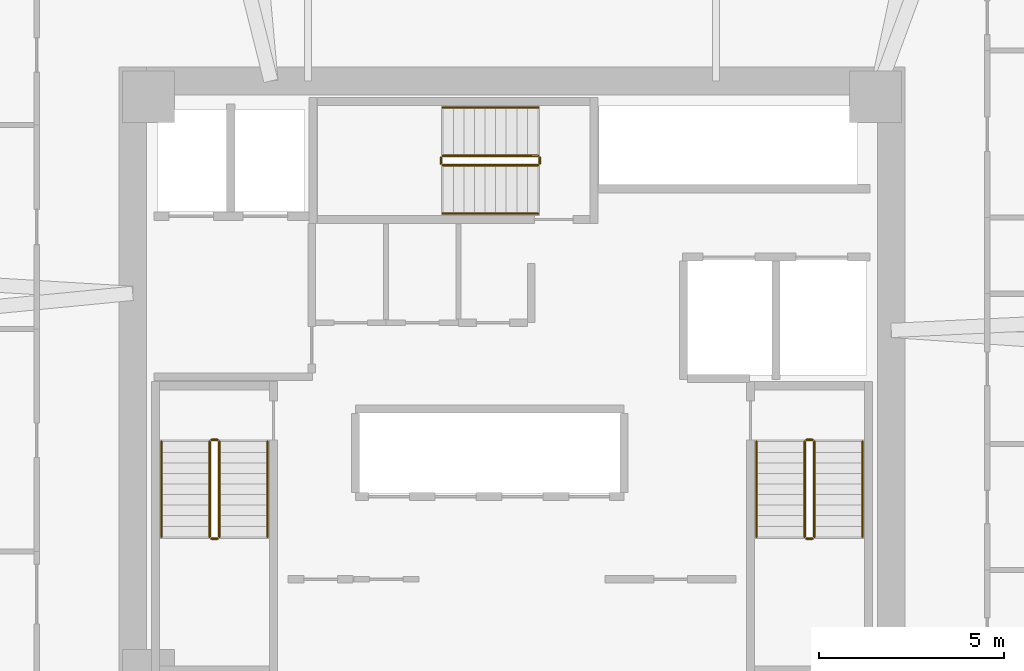
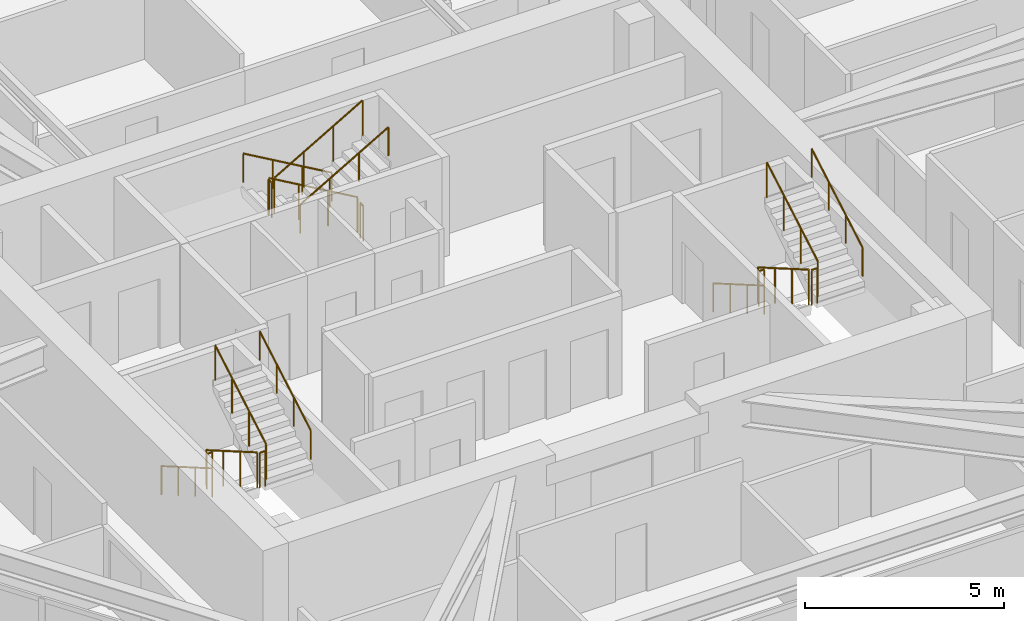
# One storey, part 14 of 14: 18 railings.
"""IFC4 building model written with IfcOpenShell, lengths in metres."""

from ifc_helpers import new_model, si_unit, direction, frame, origin, origin_2d, place, context, subcontext, project, spatial, circle, extrude, material, type_object, element, save


model = new_model("IFC4")

# Units and contexts
model_context = context("Model", 3, precision=1e-05, world=origin(), true_north=direction((0.0, 1.0)))
body_context = subcontext(model_context, "Body", "Model", "MODEL_VIEW")
ifc_project = project(units=[si_unit("LENGTHUNIT", "METRE"), si_unit("AREAUNIT", "SQUARE_METRE"), si_unit("VOLUMEUNIT", "CUBIC_METRE"), si_unit("PLANEANGLEUNIT", "RADIAN"), si_unit("MASSUNIT", "GRAM", prefix="KILO")], contexts=[model_context])

# Site, building, storey
site_placement = place(None, origin())
site = spatial("IfcSite", under=ifc_project, at=site_placement, CompositionType="ELEMENT")
building_placement = place(site_placement, origin())
building = spatial("IfcBuilding", under=site, at=building_placement, Name="Durnholm Broadcast Tower", CompositionType="ELEMENT")
storey_placement = place(building_placement, frame((0.0, 0.0, 120.60009765625)))
storey = spatial("IfcBuildingStorey", under=building, at=storey_placement, Name="L32", CompositionType="ELEMENT", Elevation=120.60009765625)

# Railings
ifc_material_1 = material(Name="Painted Tubular Steel Stair Guardrail", Category="steel")
railing_type_1 = type_object("IfcRailingType", Name="RAIL-ST-GRD", PredefinedType="GUARDRAIL", material=ifc_material_1)
railing_1_placement = place(storey_placement, frame((-8.14990234375, -1.5, 0.164794921875)))
element("IfcRailing", 1, at=railing_1_placement, inside=storey, type_object=railing_type_1, Name="L32 ST-1 stair guard 1", PredefinedType="GUARDRAIL", context=body_context, shape_type="SweptSolid", body=[
    extrude(circle(Radius=0.02392578125, at=origin_2d()), frame((0.0, 0.0, 1.076171875), z_axis=(0.0, -0.865405606168, 0.501071987656), x_axis=(1.0, 0.0, 0.0)), (0.0, 0.0, 1.0), 2.9638671875),
    extrude(circle(Radius=0.02099609375, at=origin_2d()), origin(), (0.0, 0.0, 1.0), 1.052001953125),
    extrude(circle(Radius=0.02099609375, at=origin_2d()), frame((0.0, -0.85498046875, 0.4951171875)), (0.0, 0.0, 1.0), 1.052001953125),
    extrude(circle(Radius=0.02099609375, at=origin_2d()), frame((0.0, -1.7099609375, 0.989990234375)), (0.0, 0.0, 1.0), 1.052001953125),
    extrude(circle(Radius=0.02099609375, at=origin_2d()), frame((0.0, -2.56494140625, 1.485107421875)), (0.0, 0.0, 1.0), 1.052001953125),
])
railing_2_placement = place(storey_placement, frame((-8.10009765625, -4.114990234375, 1.64990234375)))
element("IfcRailing", 2, at=railing_2_placement, inside=storey, type_object=railing_type_1, Name="L32 ST-1 stair guard 2", PredefinedType="GUARDRAIL", context=body_context, shape_type="SweptSolid", body=[
    extrude(circle(Radius=0.02392578125, at=origin_2d()), frame((0.0, 0.0, 1.076171875), z_axis=(1.0, 0.0, 0.0), x_axis=(0.0, 1.0, 0.0)), (0.0, 0.0, 1.0), 0.16015625),
    extrude(circle(Radius=0.02099609375, at=origin_2d()), origin(), (0.0, 0.0, 1.0), 1.052001953125),
    extrude(circle(Radius=0.02099609375, at=origin_2d()), frame((0.16015625, 0.0, 0.0)), (0.0, 0.0, 1.0), 1.052001953125),
])
railing_3_placement = place(storey_placement, frame((-7.889892578125, -4.06494140625, 1.81494140625)))
element("IfcRailing", 3, at=railing_3_placement, inside=storey, type_object=railing_type_1, Name="L32 ST-1 stair guard 3", PredefinedType="GUARDRAIL", context=body_context, shape_type="SweptSolid", body=[
    extrude(circle(Radius=0.02392578125, at=origin_2d()), frame((0.0, 0.0, 1.076171875), z_axis=(0.0, 0.865441324677, 0.50101029285), x_axis=(-1.0, 0.0, 0.0)), (0.0, 0.0, 1.0), 2.963623046875),
    extrude(circle(Radius=0.02099609375, at=origin_2d()), origin(), (0.0, 0.0, 1.0), 1.052001953125),
    extrude(circle(Radius=0.02099609375, at=origin_2d()), frame((0.0, 0.85498046875, 0.494873046875)), (0.0, 0.0, 1.0), 1.052001953125),
    extrude(circle(Radius=0.02099609375, at=origin_2d()), frame((0.0, 1.7099609375, 0.989990234375)), (0.0, 0.0, 1.0), 1.052001953125),
    extrude(circle(Radius=0.02099609375, at=origin_2d()), frame((0.0, 2.56494140625, 1.48486328125)), (0.0, 0.0, 1.0), 1.052001953125),
])
railing_4_placement = place(storey_placement, frame((-8.10009765625, -1.449951171875, 0.0)))
element("IfcRailing", 4, at=railing_4_placement, inside=storey, type_object=railing_type_1, Name="L32 ST-1 stair guard 4", PredefinedType="GUARDRAIL", context=body_context, shape_type="SweptSolid", body=[
    extrude(circle(Radius=0.02392578125, at=origin_2d()), frame((0.0, 0.0, 1.076171875), z_axis=(1.0, 0.0, 0.0), x_axis=(0.0, 1.0, 0.0)), (0.0, 0.0, 1.0), 0.16015625),
    extrude(circle(Radius=0.02099609375, at=origin_2d()), origin(), (0.0, 0.0, 1.0), 1.052001953125),
    extrude(circle(Radius=0.02099609375, at=origin_2d()), frame((0.16015625, 0.0, 0.0)), (0.0, 0.0, 1.0), 1.052001953125),
])
railing_5_placement = place(storey_placement, frame((7.889892578125, -1.5, 0.164794921875)))
element("IfcRailing", 5, at=railing_5_placement, inside=storey, type_object=railing_type_1, Name="L32 ST-2 stair guard 1", PredefinedType="GUARDRAIL", context=body_context, shape_type="SweptSolid", body=[
    extrude(circle(Radius=0.02392578125, at=origin_2d()), frame((0.0, 0.0, 1.076171875), z_axis=(0.0, -0.865405606168, 0.501071987656), x_axis=(1.0, 0.0, 0.0)), (0.0, 0.0, 1.0), 2.9638671875),
    extrude(circle(Radius=0.02099609375, at=origin_2d()), origin(), (0.0, 0.0, 1.0), 1.052001953125),
    extrude(circle(Radius=0.02099609375, at=origin_2d()), frame((0.0, -0.85498046875, 0.4951171875)), (0.0, 0.0, 1.0), 1.052001953125),
    extrude(circle(Radius=0.02099609375, at=origin_2d()), frame((0.0, -1.7099609375, 0.989990234375)), (0.0, 0.0, 1.0), 1.052001953125),
    extrude(circle(Radius=0.02099609375, at=origin_2d()), frame((0.0, -2.56494140625, 1.485107421875)), (0.0, 0.0, 1.0), 1.052001953125),
])
railing_6_placement = place(storey_placement, frame((7.93994140625, -4.114990234375, 1.64990234375)))
element("IfcRailing", 6, at=railing_6_placement, inside=storey, type_object=railing_type_1, Name="L32 ST-2 stair guard 2", PredefinedType="GUARDRAIL", context=body_context, shape_type="SweptSolid", body=[
    extrude(circle(Radius=0.02392578125, at=origin_2d()), frame((0.0, 0.0, 1.076171875), z_axis=(1.0, 0.0, 0.0), x_axis=(0.0, 1.0, 0.0)), (0.0, 0.0, 1.0), 0.16015625),
    extrude(circle(Radius=0.02099609375, at=origin_2d()), origin(), (0.0, 0.0, 1.0), 1.052001953125),
    extrude(circle(Radius=0.02099609375, at=origin_2d()), frame((0.16015625, 0.0, 0.0)), (0.0, 0.0, 1.0), 1.052001953125),
])
railing_7_placement = place(storey_placement, frame((8.14990234375, -4.06494140625, 1.81494140625)))
element("IfcRailing", 7, at=railing_7_placement, inside=storey, type_object=railing_type_1, Name="L32 ST-2 stair guard 3", PredefinedType="GUARDRAIL", context=body_context, shape_type="SweptSolid", body=[
    extrude(circle(Radius=0.02392578125, at=origin_2d()), frame((0.0, 0.0, 1.076171875), z_axis=(0.0, 0.865441324677, 0.50101029285), x_axis=(-1.0, 0.0, 0.0)), (0.0, 0.0, 1.0), 2.963623046875),
    extrude(circle(Radius=0.02099609375, at=origin_2d()), origin(), (0.0, 0.0, 1.0), 1.052001953125),
    extrude(circle(Radius=0.02099609375, at=origin_2d()), frame((0.0, 0.85498046875, 0.494873046875)), (0.0, 0.0, 1.0), 1.052001953125),
    extrude(circle(Radius=0.02099609375, at=origin_2d()), frame((0.0, 1.7099609375, 0.989990234375)), (0.0, 0.0, 1.0), 1.052001953125),
    extrude(circle(Radius=0.02099609375, at=origin_2d()), frame((0.0, 2.56494140625, 1.48486328125)), (0.0, 0.0, 1.0), 1.052001953125),
])
railing_8_placement = place(storey_placement, frame((7.93994140625, -1.449951171875, 0.0)))
element("IfcRailing", 8, at=railing_8_placement, inside=storey, type_object=railing_type_1, Name="L32 ST-2 stair guard 4", PredefinedType="GUARDRAIL", context=body_context, shape_type="SweptSolid", body=[
    extrude(circle(Radius=0.02392578125, at=origin_2d()), frame((0.0, 0.0, 1.076171875), z_axis=(1.0, 0.0, 0.0), x_axis=(0.0, 1.0, 0.0)), (0.0, 0.0, 1.0), 0.16015625),
    extrude(circle(Radius=0.02099609375, at=origin_2d()), origin(), (0.0, 0.0, 1.0), 1.052001953125),
    extrude(circle(Radius=0.02099609375, at=origin_2d()), frame((0.16015625, 0.0, 0.0)), (0.0, 0.0, 1.0), 1.052001953125),
])
railing_9_placement = place(storey_placement, frame((0.699951171875, 6.2099609375, 0.164794921875)))
element("IfcRailing", 9, at=railing_9_placement, inside=storey, type_object=railing_type_1, Name="L32 ST-3 stair guard 1", PredefinedType="GUARDRAIL", context=body_context, shape_type="SweptSolid", body=[
    extrude(circle(Radius=0.02392578125, at=origin_2d()), frame((0.0, 0.0, 1.076171875), z_axis=(-0.865405606168, 0.0, 0.501071987656), x_axis=(0.0, -1.0, 0.0)), (0.0, 0.0, 1.0), 2.9638671875),
    extrude(circle(Radius=0.02099609375, at=origin_2d()), origin(), (0.0, 0.0, 1.0), 1.052001953125),
    extrude(circle(Radius=0.02099609375, at=origin_2d()), frame((-0.85498046875, 0.0, 0.4951171875)), (0.0, 0.0, 1.0), 1.052001953125),
    extrude(circle(Radius=0.02099609375, at=origin_2d()), frame((-1.7099609375, 0.0, 0.989990234375)), (0.0, 0.0, 1.0), 1.052001953125),
    extrude(circle(Radius=0.02099609375, at=origin_2d()), frame((-2.56494140625, 0.0, 1.485107421875)), (0.0, 0.0, 1.0), 1.052001953125),
])
railing_10_placement = place(storey_placement, frame((-1.9150390625, 6.159912109375, 1.64990234375)))
element("IfcRailing", 10, at=railing_10_placement, inside=storey, type_object=railing_type_1, Name="L32 ST-3 stair guard 2", PredefinedType="GUARDRAIL", context=body_context, shape_type="SweptSolid", body=[
    extrude(circle(Radius=0.02392578125, at=origin_2d()), frame((0.0, 0.0, 1.076171875), z_axis=(0.0, -1.0, 0.0), x_axis=(1.0, 0.0, 0.0)), (0.0, 0.0, 1.0), 0.159912109375),
    extrude(circle(Radius=0.02099609375, at=origin_2d()), origin(), (0.0, 0.0, 1.0), 1.052001953125),
    extrude(circle(Radius=0.02099609375, at=origin_2d()), frame((0.0, -0.159912109375, 0.0)), (0.0, 0.0, 1.0), 1.052001953125),
])
railing_11_placement = place(storey_placement, frame((-1.864990234375, 5.949951171875, 1.81494140625)))
element("IfcRailing", 11, at=railing_11_placement, inside=storey, type_object=railing_type_1, Name="L32 ST-3 stair guard 3", PredefinedType="GUARDRAIL", context=body_context, shape_type="SweptSolid", body=[
    extrude(circle(Radius=0.02392578125, at=origin_2d()), frame((0.0, 0.0, 1.076171875), z_axis=(0.865441324677, 0.0, 0.50101029285), x_axis=(0.0, 1.0, 0.0)), (0.0, 0.0, 1.0), 2.963623046875),
    extrude(circle(Radius=0.02099609375, at=origin_2d()), origin(), (0.0, 0.0, 1.0), 1.052001953125),
    extrude(circle(Radius=0.02099609375, at=origin_2d()), frame((0.85498046875, 0.0, 0.494873046875)), (0.0, 0.0, 1.0), 1.052001953125),
    extrude(circle(Radius=0.02099609375, at=origin_2d()), frame((1.7099609375, 0.0, 0.989990234375)), (0.0, 0.0, 1.0), 1.052001953125),
    extrude(circle(Radius=0.02099609375, at=origin_2d()), frame((2.56494140625, 0.0, 1.48486328125)), (0.0, 0.0, 1.0), 1.052001953125),
])
railing_12_placement = place(storey_placement, frame((0.75, 6.159912109375, 0.0)))
element("IfcRailing", 12, at=railing_12_placement, inside=storey, type_object=railing_type_1, Name="L32 ST-3 stair guard 4", PredefinedType="GUARDRAIL", context=body_context, shape_type="SweptSolid", body=[
    extrude(circle(Radius=0.02392578125, at=origin_2d()), frame((0.0, 0.0, 1.076171875), z_axis=(0.0, -1.0, 0.0), x_axis=(1.0, 0.0, 0.0)), (0.0, 0.0, 1.0), 0.159912109375),
    extrude(circle(Radius=0.02099609375, at=origin_2d()), origin(), (0.0, 0.0, 1.0), 1.052001953125),
    extrude(circle(Radius=0.02099609375, at=origin_2d()), frame((0.0, -0.159912109375, 0.0)), (0.0, 0.0, 1.0), 1.052001953125),
])
ifc_material_2 = material(Name="Brushed Stainless Steel Handrail", Category="steel")
railing_type_2 = type_object("IfcRailingType", Name="RAIL-ST-HND", PredefinedType="HANDRAIL", material=ifc_material_2)
railing_13_placement = place(storey_placement, frame((-9.449951171875, -1.5, 0.329833984375)))
element("IfcRailing", 13, at=railing_13_placement, inside=storey, type_object=railing_type_2, Name="L32 ST-1 stair handrail 1", PredefinedType="HANDRAIL", context=body_context, shape_type="SweptSolid", body=[
    extrude(circle(Radius=0.02392578125, at=origin_2d()), frame((0.0, 0.0, 0.8759765625), z_axis=(0.0, -0.865405606168, 0.501071987656), x_axis=(1.0, 0.0, 0.0)), (0.0, 0.0, 1.0), 2.9638671875),
    extrude(circle(Radius=0.02099609375, at=origin_2d()), origin(), (0.0, 0.0, 1.0), 0.851806640625),
    extrude(circle(Radius=0.02099609375, at=origin_2d()), frame((0.0, -0.85498046875, 0.4951171875)), (0.0, 0.0, 1.0), 0.851806640625),
    extrude(circle(Radius=0.02099609375, at=origin_2d()), frame((0.0, -1.7099609375, 0.989990234375)), (0.0, 0.0, 1.0), 0.851806640625),
    extrude(circle(Radius=0.02099609375, at=origin_2d()), frame((0.0, -2.56494140625, 1.485107421875)), (0.0, 0.0, 1.0), 0.851806640625),
])
railing_14_placement = place(storey_placement, frame((-6.590087890625, -4.06494140625, 1.97998046875)))
element("IfcRailing", 14, at=railing_14_placement, inside=storey, type_object=railing_type_2, Name="L32 ST-1 stair handrail 2", PredefinedType="HANDRAIL", context=body_context, shape_type="SweptSolid", body=[
    extrude(circle(Radius=0.02392578125, at=origin_2d()), frame((0.0, 0.0, 0.8759765625), z_axis=(0.0, 0.865441324677, 0.50101029285), x_axis=(-1.0, 0.0, 0.0)), (0.0, 0.0, 1.0), 2.963623046875),
    extrude(circle(Radius=0.02099609375, at=origin_2d()), origin(), (0.0, 0.0, 1.0), 0.851806640625),
    extrude(circle(Radius=0.02099609375, at=origin_2d()), frame((0.0, 0.85498046875, 0.494873046875)), (0.0, 0.0, 1.0), 0.851806640625),
    extrude(circle(Radius=0.02099609375, at=origin_2d()), frame((0.0, 1.7099609375, 0.989990234375)), (0.0, 0.0, 1.0), 0.851806640625),
    extrude(circle(Radius=0.02099609375, at=origin_2d()), frame((0.0, 2.56494140625, 1.48486328125)), (0.0, 0.0, 1.0), 0.851806640625),
])
railing_15_placement = place(storey_placement, frame((6.590087890625, -1.5, 0.329833984375)))
element("IfcRailing", 15, at=railing_15_placement, inside=storey, type_object=railing_type_2, Name="L32 ST-2 stair handrail 1", PredefinedType="HANDRAIL", context=body_context, shape_type="SweptSolid", body=[
    extrude(circle(Radius=0.02392578125, at=origin_2d()), frame((0.0, 0.0, 0.8759765625), z_axis=(0.0, -0.865405606168, 0.501071987656), x_axis=(1.0, 0.0, 0.0)), (0.0, 0.0, 1.0), 2.9638671875),
    extrude(circle(Radius=0.02099609375, at=origin_2d()), origin(), (0.0, 0.0, 1.0), 0.851806640625),
    extrude(circle(Radius=0.02099609375, at=origin_2d()), frame((0.0, -0.85498046875, 0.4951171875)), (0.0, 0.0, 1.0), 0.851806640625),
    extrude(circle(Radius=0.02099609375, at=origin_2d()), frame((0.0, -1.7099609375, 0.989990234375)), (0.0, 0.0, 1.0), 0.851806640625),
    extrude(circle(Radius=0.02099609375, at=origin_2d()), frame((0.0, -2.56494140625, 1.485107421875)), (0.0, 0.0, 1.0), 0.851806640625),
])
railing_16_placement = place(storey_placement, frame((9.449951171875, -4.06494140625, 1.97998046875)))
element("IfcRailing", 16, at=railing_16_placement, inside=storey, type_object=railing_type_2, Name="L32 ST-2 stair handrail 2", PredefinedType="HANDRAIL", context=body_context, shape_type="SweptSolid", body=[
    extrude(circle(Radius=0.02392578125, at=origin_2d()), frame((0.0, 0.0, 0.8759765625), z_axis=(0.0, 0.865441324677, 0.50101029285), x_axis=(-1.0, 0.0, 0.0)), (0.0, 0.0, 1.0), 2.963623046875),
    extrude(circle(Radius=0.02099609375, at=origin_2d()), origin(), (0.0, 0.0, 1.0), 0.851806640625),
    extrude(circle(Radius=0.02099609375, at=origin_2d()), frame((0.0, 0.85498046875, 0.494873046875)), (0.0, 0.0, 1.0), 0.851806640625),
    extrude(circle(Radius=0.02099609375, at=origin_2d()), frame((0.0, 1.7099609375, 0.989990234375)), (0.0, 0.0, 1.0), 0.851806640625),
    extrude(circle(Radius=0.02099609375, at=origin_2d()), frame((0.0, 2.56494140625, 1.48486328125)), (0.0, 0.0, 1.0), 0.851806640625),
])
railing_17_placement = place(storey_placement, frame((0.699951171875, 7.510009765625, 0.329833984375)))
element("IfcRailing", 17, at=railing_17_placement, inside=storey, type_object=railing_type_2, Name="L32 ST-3 stair handrail 1", PredefinedType="HANDRAIL", context=body_context, shape_type="SweptSolid", body=[
    extrude(circle(Radius=0.02392578125, at=origin_2d()), frame((0.0, 0.0, 0.8759765625), z_axis=(-0.865405606168, 0.0, 0.501071987656), x_axis=(0.0, -1.0, 0.0)), (0.0, 0.0, 1.0), 2.9638671875),
    extrude(circle(Radius=0.02099609375, at=origin_2d()), origin(), (0.0, 0.0, 1.0), 0.851806640625),
    extrude(circle(Radius=0.02099609375, at=origin_2d()), frame((-0.85498046875, 0.0, 0.4951171875)), (0.0, 0.0, 1.0), 0.851806640625),
    extrude(circle(Radius=0.02099609375, at=origin_2d()), frame((-1.7099609375, 0.0, 0.989990234375)), (0.0, 0.0, 1.0), 0.851806640625),
    extrude(circle(Radius=0.02099609375, at=origin_2d()), frame((-2.56494140625, 0.0, 1.485107421875)), (0.0, 0.0, 1.0), 0.851806640625),
])
railing_18_placement = place(storey_placement, frame((-1.864990234375, 4.64990234375, 1.97998046875)))
element("IfcRailing", 18, at=railing_18_placement, inside=storey, type_object=railing_type_2, Name="L32 ST-3 stair handrail 2", PredefinedType="HANDRAIL", context=body_context, shape_type="SweptSolid", body=[
    extrude(circle(Radius=0.02392578125, at=origin_2d()), frame((0.0, 0.0, 0.8759765625), z_axis=(0.865441324677, 0.0, 0.50101029285), x_axis=(0.0, 1.0, 0.0)), (0.0, 0.0, 1.0), 2.963623046875),
    extrude(circle(Radius=0.02099609375, at=origin_2d()), origin(), (0.0, 0.0, 1.0), 0.851806640625),
    extrude(circle(Radius=0.02099609375, at=origin_2d()), frame((0.85498046875, 0.0, 0.494873046875)), (0.0, 0.0, 1.0), 0.851806640625),
    extrude(circle(Radius=0.02099609375, at=origin_2d()), frame((1.7099609375, 0.0, 0.989990234375)), (0.0, 0.0, 1.0), 0.851806640625),
    extrude(circle(Radius=0.02099609375, at=origin_2d()), frame((2.56494140625, 0.0, 1.48486328125)), (0.0, 0.0, 1.0), 0.851806640625),
])

save(model, "model.ifc")
